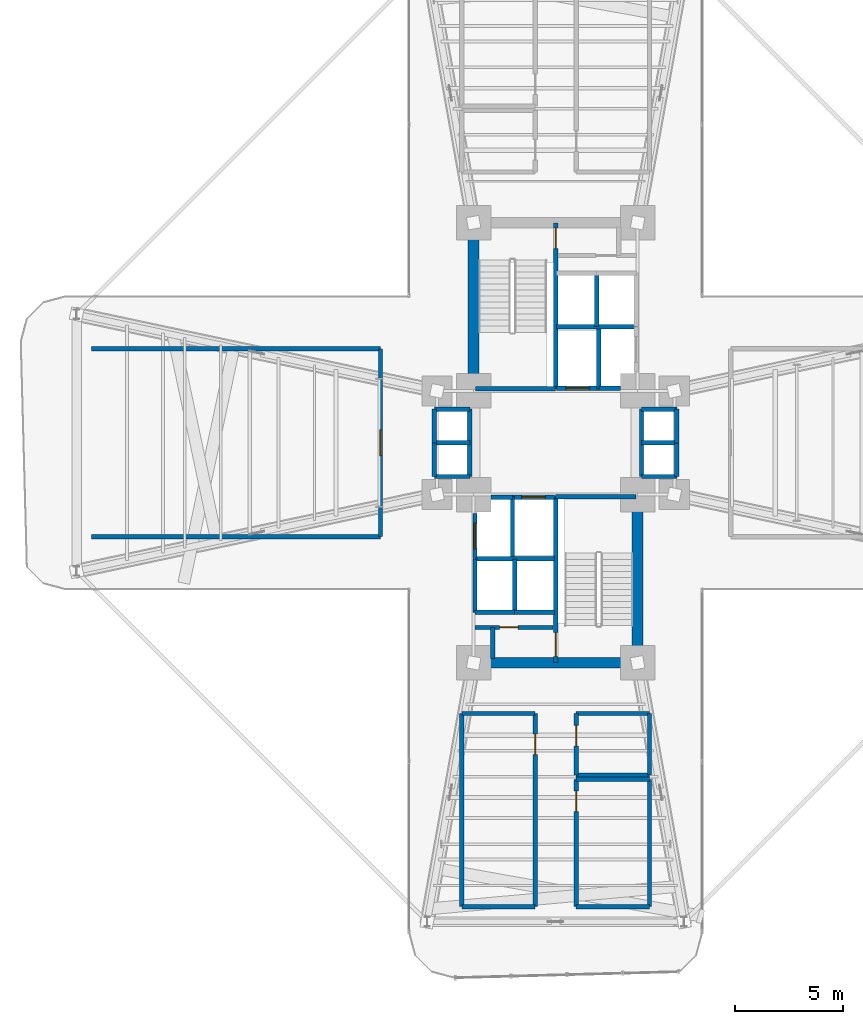
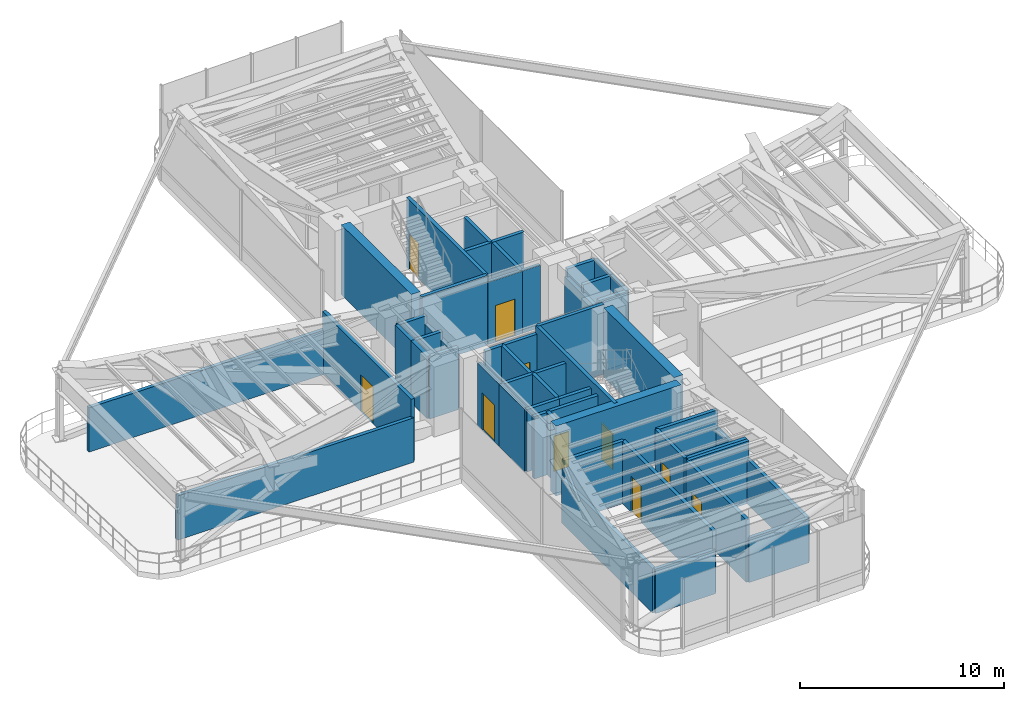
# One storey, part 14 of 18: 50 walls, 10 doors, 10 openings.
"""IFC4 building model written with IfcOpenShell, lengths in metres."""

from ifc_helpers import new_model, si_unit, direction, frame, frame_2d, origin, origin_2d, place, context, subcontext, project, spatial, rectangle, extrude, source, transform, mapped, material, layer, layer_set, type_object, element, fill, save


model = new_model("IFC4")

# Units and contexts
model_context = context("Model", 3, precision=1e-05, world=origin(), true_north=direction((0.0, 1.0)))
body_context = subcontext(model_context, "Body", "Model", "MODEL_VIEW")
ifc_project = project(units=[si_unit("LENGTHUNIT", "METRE"), si_unit("AREAUNIT", "SQUARE_METRE"), si_unit("VOLUMEUNIT", "CUBIC_METRE"), si_unit("PLANEANGLEUNIT", "RADIAN"), si_unit("MASSUNIT", "GRAM", prefix="KILO")], contexts=[model_context])

# Site, building, storey
site_placement = place(None, origin())
site = spatial("IfcSite", under=ifc_project, at=site_placement, CompositionType="ELEMENT")
building_placement = place(site_placement, origin())
building = spatial("IfcBuilding", under=site, at=building_placement, Name="Sahyath Konkavel Grand Hotel", CompositionType="ELEMENT")
storey_placement = place(building_placement, frame((0.0, 0.0, 74.5)))
storey = spatial("IfcBuildingStorey", under=building, at=storey_placement, Name="L20", CompositionType="ELEMENT", Elevation=74.5)

# Walls
ifc_material_1 = material(Name="Concrete C70/85", Category="concrete")
ifc_layer_1 = layer(ifc_material_1, 0.5)
ifc_layer_set_1 = layer_set([ifc_layer_1], Name="Concrete C70/85")
wall_type_1 = type_object("IfcWallType", Name="CWALL-500", PredefinedType="SHEAR", material=ifc_layer_set_1)
wall_1_placement = place(storey_placement, frame((-3.800048828125, 2.85009765625, 0.0), z_axis=(0.0, 0.0, 1.0), x_axis=(0.0, 1.0, 0.0)))
element("IfcWall", 1, at=wall_1_placement, inside=storey, type_object=wall_type_1, Name="L20 North Core Shear Wall W", PredefinedType="SHEAR", context=body_context, shape_type="SweptSolid", body=[
    extrude(rectangle(XDim=6.89990234375, YDim=0.5, at=frame_2d((3.449951171875, 0.0))), origin(), (0.0, 0.0, 1.0), 4.179931640625),
])
wall_2_placement = place(storey_placement, frame((-3.550048828125, -10.199951171875, 0.0), z_axis=(0.0, 0.0, 1.0), x_axis=(1.0, 0.0, 0.0)))
element("IfcWall", 2, at=wall_2_placement, inside=storey, type_object=wall_type_1, Name="L20 South Core Shear Wall S", PredefinedType="SHEAR", context=body_context, shape_type="SweptSolid", body=[
    extrude(rectangle(XDim=7.10009765625, YDim=0.5, at=frame_2d((3.550048828125, 0.0))), origin(), (0.0, 0.0, 1.0), 4.179931640625),
])
wall_3_placement = place(storey_placement, frame((3.800048828125, -9.75, 0.0), z_axis=(0.0, 0.0, 1.0), x_axis=(0.0, 1.0, 0.0)))
element("IfcWall", 3, at=wall_3_placement, inside=storey, type_object=wall_type_1, Name="L20 South Core Shear Wall E", PredefinedType="SHEAR", context=body_context, shape_type="SweptSolid", body=[
    extrude(rectangle(XDim=6.89990234375, YDim=0.5, at=frame_2d((3.449951171875, 0.0))), origin(), (0.0, 0.0, 1.0), 4.179931640625),
])

# Wall, opening, door
ifc_material_2 = material(Name="Concrete C40/50", Category="concrete")
ifc_layer_2 = layer(ifc_material_2, 0.199951171875)
ifc_layer_set_2 = layer_set([ifc_layer_2], Name="Concrete C40/50")
wall_type_2 = type_object("IfcWallType", Name="WLL-CORE-200", PredefinedType="SOLIDWALL", material=ifc_layer_set_2)
wall_4_placement = place(storey_placement, frame((0.0, 2.5, 0.0), z_axis=(0.0, 0.0, 1.0), x_axis=(0.0, 1.0, 0.0)))
wall_4 = element("IfcWall", 4, at=wall_4_placement, inside=storey, type_object=wall_type_2, Name="L20 Stair ST-1 Shaft Wall E", PredefinedType="SOLIDWALL", context=body_context, shape_type="SweptSolid", body=[
    extrude(rectangle(XDim=7.679931640625, YDim=0.199951171875, at=frame_2d((3.83984375, 0.0))), origin(), (0.0, 0.0, 1.0), 4.179931640625),
])
opening_1_placement = place(wall_4_placement, frame((6.5, 0.0, 0.0)))
opening_1 = element("IfcOpeningElement", 5, at=opening_1_placement, cuts=wall_4, Name="Opening D-F12C", PredefinedType="OPENING", context=body_context, shape_type="SweptSolid", body=[
    extrude(rectangle(XDim=0.949951171875, YDim=2.14990234375, at=frame_2d((0.47509765625, 1.074951171875))), frame((0.0, 0.10986328125, 0.0), z_axis=(0.0, -1.0, 0.0), x_axis=(1.0, 0.0, 0.0)), (0.0, 0.0, 1.0), 0.219970703125),
])
ifc_material_3 = material(Name="Steel E350 Plant Fire Door", Category="steel")
door_type_1 = type_object("IfcDoorType", Name="DR-FD120-950", OperationType="NOTDEFINED", PredefinedType="DOOR", material=ifc_material_3)
shared_shape_1 = source(origin(), body_context, "Body", "SweptSolid", [
    extrude(rectangle(XDim=0.949951171875, YDim=0.050048828125, at=origin_2d()), origin(), (0.0, 0.0, 1.0), 2.14990234375),
])
door_1_placement = place(opening_1_placement, frame((0.47509765625, 0.0, 0.0)))
door_1 = element("IfcDoor", 6, at=door_1_placement, inside=storey, type_object=door_type_1, Name="L20 Stair ST-1 Fire Door", OperationType="SINGLE_SWING_RIGHT", OverallHeight=2.14990234375, OverallWidth=0.949951171875, PredefinedType="DOOR", context=body_context, shape_type="MappedRepresentation", body=[
    mapped(shared_shape_1, transform((0.0, 0.0, 0.0), scale=1.0)),
])
fill(opening_1, door_1)

# Wall
wall_5_placement = place(storey_placement, frame((-3.719970703125, 2.5, 0.0), z_axis=(0.0, 0.0, 1.0), x_axis=(1.0, 0.0, 0.0)))
element("IfcWall", 7, at=wall_5_placement, inside=storey, type_object=wall_type_2, Name="L20 Stair ST-1 Shaft Wall S", PredefinedType="SOLIDWALL", context=body_context, shape_type="SweptSolid", body=[
    extrude(rectangle(XDim=3.719970703125, YDim=0.199951171875, at=frame_2d((1.85986328125, 0.0))), origin(), (0.0, 0.0, 1.0), 4.179931640625),
])

# Wall, opening, door
wall_6_placement = place(storey_placement, frame((0.0, -10.179931640625, 0.0), z_axis=(0.0, 0.0, 1.0), x_axis=(0.0, 1.0, 0.0)))
wall_6 = element("IfcWall", 8, at=wall_6_placement, inside=storey, type_object=wall_type_2, Name="L20 Stair ST-2 Shaft Wall W", PredefinedType="SOLIDWALL", context=body_context, shape_type="SweptSolid", body=[
    extrude(rectangle(XDim=7.679931640625, YDim=0.199951171875, at=frame_2d((3.83984375, 0.0))), origin(), (0.0, 0.0, 1.0), 4.179931640625),
])
opening_2_placement = place(wall_6_placement, frame((0.280029296875, 0.0, 0.0)))
opening_2 = element("IfcOpeningElement", 9, at=opening_2_placement, cuts=wall_6, Name="Opening D-F12B", PredefinedType="OPENING", context=body_context, shape_type="SweptSolid", body=[
    extrude(rectangle(XDim=1.10009765625, YDim=2.14990234375, at=frame_2d((0.550048828125, 1.074951171875))), frame((0.0, 0.10986328125, 0.0), z_axis=(0.0, -1.0, 0.0), x_axis=(1.0, 0.0, 0.0)), (0.0, 0.0, 1.0), 0.219970703125),
])
ifc_material_4 = material(Name="Steel E350 Smokeproof Fire Door", Category="steel")
door_type_2 = type_object("IfcDoorType", Name="DR-FD120-1100", OperationType="NOTDEFINED", PredefinedType="DOOR", material=ifc_material_4)
shared_shape_2 = source(origin(), body_context, "Body", "SweptSolid", [
    extrude(rectangle(XDim=1.10009765625, YDim=0.050048828125, at=origin_2d()), origin(), (0.0, 0.0, 1.0), 2.14990234375),
])
door_2_placement = place(opening_2_placement, frame((0.550048828125, 0.0, 0.0)))
door_2 = element("IfcDoor", 10, at=door_2_placement, inside=storey, type_object=door_type_2, Name="L20 Stair ST-2 Fire Door", OperationType="SINGLE_SWING_RIGHT", OverallHeight=2.14990234375, OverallWidth=1.10009765625, PredefinedType="DOOR", context=body_context, shape_type="MappedRepresentation", body=[
    mapped(shared_shape_2, transform((0.0, 0.0, 0.0), scale=1.0)),
])
fill(opening_2, door_2)

# Walls
wall_7_placement = place(storey_placement, frame((0.0, -2.5, 0.0), z_axis=(0.0, 0.0, 1.0), x_axis=(1.0, 0.0, 0.0)))
element("IfcWall", 11, at=wall_7_placement, inside=storey, type_object=wall_type_2, Name="L20 Stair ST-2 Shaft Wall N", PredefinedType="SOLIDWALL", context=body_context, shape_type="SweptSolid", body=[
    extrude(rectangle(XDim=3.719970703125, YDim=0.199951171875, at=frame_2d((1.85986328125, 0.0))), origin(), (0.0, 0.0, 1.0), 4.179931640625),
])
wall_8_placement = place(storey_placement, frame((2.0, 2.5, 0.0), z_axis=(0.0, 0.0, 1.0), x_axis=(0.0, 1.0, 0.0)))
element("IfcWall", 12, at=wall_8_placement, inside=storey, type_object=wall_type_2, Name="L20 Partition SH-FFL1-E", PredefinedType="SOLIDWALL", context=body_context, shape_type="SweptSolid", body=[
    extrude(rectangle(XDim=2.780029296875, YDim=0.199951171875, at=frame_2d((1.39013671875, 0.0))), origin(), (0.0, 0.0, 1.0), 3.72998046875),
])

# Wall, opening, door
wall_9_placement = place(storey_placement, frame((0.050048828125, 2.52001953125, 0.0), z_axis=(0.0, 0.0, 1.0), x_axis=(1.0, 0.0, 0.0)))
wall_9 = element("IfcWall", 13, at=wall_9_placement, inside=storey, type_object=wall_type_2, Name="L20 Partition SH-FFL1-S", PredefinedType="SOLIDWALL", context=body_context, shape_type="SweptSolid", body=[
    extrude(rectangle(XDim=1.949951171875, YDim=0.199951171875, at=frame_2d((0.97509765625, 0.0))), origin(), (0.0, 0.0, 1.0), 3.72998046875),
])
opening_3_placement = place(wall_9_placement, frame((0.419921875, 0.0, 0.0)))
opening_3 = element("IfcOpeningElement", 14, at=opening_3_placement, cuts=wall_9, Name="Opening LD-11", PredefinedType="OPENING", context=body_context, shape_type="SweptSolid", body=[
    extrude(rectangle(XDim=1.10009765625, YDim=2.199951171875, at=frame_2d((0.550048828125, 1.10009765625))), frame((0.0, 0.10986328125, 0.0), z_axis=(0.0, -1.0, 0.0), x_axis=(1.0, 0.0, 0.0)), (0.0, 0.0, 1.0), 0.219970703125),
])
ifc_material_5 = material(Name="Bronze Lift Landing Door 1100")
door_type_3 = type_object("IfcDoorType", Name="DR-LIFT-1100", OperationType="DOUBLE_DOOR_SLIDING", PredefinedType="DOOR", material=ifc_material_5)
shared_shape_3 = source(origin(), body_context, "Body", "SweptSolid", [
    extrude(rectangle(XDim=1.10009765625, YDim=0.050048828125, at=origin_2d()), origin(), (0.0, 0.0, 1.0), 2.199951171875),
])
door_3_placement = place(opening_3_placement, frame((0.550048828125, 0.0, 0.0)))
door_3 = element("IfcDoor", 15, at=door_3_placement, inside=storey, type_object=door_type_3, Name="L20 Lift FFL-1 Landing Door", OperationType="DOUBLE_DOOR_SLIDING", OverallHeight=2.199951171875, OverallWidth=1.10009765625, PredefinedType="DOOR", context=body_context, shape_type="MappedRepresentation", body=[
    mapped(shared_shape_3, transform((0.0, 0.0, 0.0), scale=1.0)),
])
fill(opening_3, door_3)

# Wall
wall_10_placement = place(storey_placement, frame((-2.0, -5.280029296875, 0.0), z_axis=(0.0, 0.0, 1.0), x_axis=(0.0, 1.0, 0.0)))
element("IfcWall", 16, at=wall_10_placement, inside=storey, type_object=wall_type_2, Name="L20 Partition SH-FFL2-W", PredefinedType="SOLIDWALL", context=body_context, shape_type="SweptSolid", body=[
    extrude(rectangle(XDim=2.780029296875, YDim=0.199951171875, at=frame_2d((1.39013671875, 0.0))), origin(), (0.0, 0.0, 1.0), 3.72998046875),
])

# Wall, opening, door
wall_11_placement = place(storey_placement, frame((-2.0, -2.52001953125, 0.0), z_axis=(0.0, 0.0, 1.0), x_axis=(1.0, 0.0, 0.0)))
wall_11 = element("IfcWall", 17, at=wall_11_placement, inside=storey, type_object=wall_type_2, Name="L20 Partition SH-FFL2-N", PredefinedType="SOLIDWALL", context=body_context, shape_type="SweptSolid", body=[
    extrude(rectangle(XDim=1.949951171875, YDim=0.199951171875, at=frame_2d((0.97509765625, 0.0))), origin(), (0.0, 0.0, 1.0), 3.72998046875),
])
opening_4_placement = place(wall_11_placement, frame((0.419921875, 0.0, 0.0)))
opening_4 = element("IfcOpeningElement", 18, at=opening_4_placement, cuts=wall_11, Name="Opening LD-11", PredefinedType="OPENING", context=body_context, shape_type="SweptSolid", body=[
    extrude(rectangle(XDim=1.10009765625, YDim=2.199951171875, at=frame_2d((0.550048828125, 1.10009765625))), frame((0.0, 0.10986328125, 0.0), z_axis=(0.0, -1.0, 0.0), x_axis=(1.0, 0.0, 0.0)), (0.0, 0.0, 1.0), 0.219970703125),
])
door_4_placement = place(opening_4_placement, frame((0.550048828125, 0.0, 0.0)))
door_4 = element("IfcDoor", 19, at=door_4_placement, inside=storey, type_object=door_type_3, Name="L20 Lift FFL-2 Landing Door", OperationType="DOUBLE_DOOR_SLIDING", OverallHeight=2.199951171875, OverallWidth=1.10009765625, PredefinedType="DOOR", context=body_context, shape_type="MappedRepresentation", body=[
    mapped(shared_shape_3, transform((0.0, 0.0, 0.0), scale=1.0)),
])
fill(opening_4, door_4)

# Walls
for number, where, z_axis, x_axis, name in (
    (20, (2.0, 2.52001953125, 0.0), (0.0, 0.0, 1.0), (1.0, 0.0, 0.0), "L20 Partition SH-SVL1-S"),
    (21, (-3.0, -2.52001953125, 0.0), (0.0, 0.0, 1.0), (1.0, 0.0, 0.0), "L20 Partition SH-SVL2-N"),
):
    element("IfcWall", number, at=place(storey_placement, frame(where, z_axis=z_axis, x_axis=x_axis)), inside=storey, type_object=wall_type_2, Name=name, PredefinedType="SOLIDWALL", context=body_context, shape_type="SweptSolid", body=[
        extrude(rectangle(XDim=1.0, YDim=0.199951171875, at=frame_2d((0.5, 0.0))), origin(), (0.0, 0.0, 1.0), 3.72998046875),
    ])

# Wall, opening, door
wall_12_placement = place(storey_placement, frame((-3.739990234375, -5.360107421875, 0.0), z_axis=(0.0, 0.0, 1.0), x_axis=(0.0, 1.0, 0.0)))
wall_12 = element("IfcWall", 22, at=wall_12_placement, inside=storey, type_object=wall_type_2, Name="L20 Partition SH-SVL2-W", PredefinedType="SOLIDWALL", context=body_context, shape_type="SweptSolid", body=[
    extrude(rectangle(XDim=2.080078125, YDim=0.199951171875, at=frame_2d((1.0400390625, 0.0))), origin(), (0.0, 0.0, 1.0), 3.72998046875),
])
opening_5_placement = place(wall_12_placement, frame((0.43994140625, 0.0, 0.0)))
opening_5 = element("IfcOpeningElement", 23, at=opening_5_placement, cuts=wall_12, Name="Opening LD-12", PredefinedType="OPENING", context=body_context, shape_type="SweptSolid", body=[
    extrude(rectangle(XDim=1.199951171875, YDim=2.199951171875, at=frame_2d((0.60009765625, 1.10009765625))), frame((0.0, 0.10986328125, 0.0), z_axis=(0.0, -1.0, 0.0), x_axis=(1.0, 0.0, 0.0)), (0.0, 0.0, 1.0), 0.219970703125),
])
ifc_material_6 = material(Name="Stainless Steel Lift Landing Door 1200", Category="steel")
door_type_4 = type_object("IfcDoorType", Name="DR-LIFT-1200", OperationType="DOUBLE_DOOR_SLIDING", PredefinedType="DOOR", material=ifc_material_6)
shared_shape_4 = source(origin(), body_context, "Body", "SweptSolid", [
    extrude(rectangle(XDim=1.199951171875, YDim=0.050048828125, at=origin_2d()), origin(), (0.0, 0.0, 1.0), 2.199951171875),
])
door_5_placement = place(opening_5_placement, frame((0.60009765625, 0.0, 0.0)))
door_5 = element("IfcDoor", 24, at=door_5_placement, inside=storey, type_object=door_type_4, Name="L20 Service Lift SVL-2 Landing Door", OperationType="DOUBLE_DOOR_SLIDING", OverallHeight=2.199951171875, OverallWidth=1.199951171875, PredefinedType="DOOR", context=body_context, shape_type="MappedRepresentation", body=[
    mapped(shared_shape_4, transform((0.0, 0.0, 0.0), scale=1.0)),
])
fill(opening_5, door_5)

# Walls
wall_13_placement = place(storey_placement, frame((0.050048828125, 5.3798828125, 0.0), z_axis=(0.0, 0.0, 1.0), x_axis=(1.0, 0.0, 0.0)))
element("IfcWall", 25, at=wall_13_placement, inside=storey, type_object=wall_type_2, Name="L20 Partition SH-PL12-S", PredefinedType="SOLIDWALL", context=body_context, shape_type="SweptSolid", body=[
    extrude(rectangle(XDim=3.68994140625, YDim=0.199951171875, at=frame_2d((1.844970703125, 0.0))), origin(), (0.0, 0.0, 1.0), 3.72998046875),
])
for number, where, z_axis, x_axis, name in (
    (26, (1.89990234375, 5.3798828125, 0.0), (0.0, 0.0, 1.0), (0.0, 1.0, 0.0), "L20 Partition SH-PL12-M"),
    (27, (-3.739990234375, -7.860107421875, 0.0), (0.0, 0.0, 1.0), (0.0, 1.0, 0.0), "L20 Partition SH-PL3-W"),
):
    element("IfcWall", number, at=place(storey_placement, frame(where, z_axis=z_axis, x_axis=x_axis)), inside=storey, type_object=wall_type_2, Name=name, PredefinedType="SOLIDWALL", context=body_context, shape_type="SweptSolid", body=[
        extrude(rectangle(XDim=2.480224609375, YDim=0.199951171875, at=frame_2d((1.240234375, 0.0))), origin(), (0.0, 0.0, 1.0), 3.72998046875),
    ])
wall_14_placement = place(storey_placement, frame((-3.739990234375, -7.860107421875, 0.0), z_axis=(0.0, 0.0, 1.0), x_axis=(1.0, 0.0, 0.0)))
element("IfcWall", 28, at=wall_14_placement, inside=storey, type_object=wall_type_2, Name="L20 Partition SH-PL3-S", PredefinedType="SOLIDWALL", context=body_context, shape_type="SweptSolid", body=[
    extrude(rectangle(XDim=1.840087890625, YDim=0.199951171875, at=frame_2d((0.919921875, 0.0))), origin(), (0.0, 0.0, 1.0), 3.72998046875),
])
wall_15_placement = place(storey_placement, frame((-3.739990234375, -5.3798828125, 0.0), z_axis=(0.0, 0.0, 1.0), x_axis=(1.0, 0.0, 0.0)))
element("IfcWall", 29, at=wall_15_placement, inside=storey, type_object=wall_type_2, Name="L20 Partition SH-PL34-N", PredefinedType="SOLIDWALL", context=body_context, shape_type="SweptSolid", body=[
    extrude(rectangle(XDim=3.68994140625, YDim=0.199951171875, at=frame_2d((1.844970703125, 0.0))), origin(), (0.0, 0.0, 1.0), 3.72998046875),
])
wall_16_placement = place(storey_placement, frame((-1.89990234375, -7.860107421875, 0.0), z_axis=(0.0, 0.0, 1.0), x_axis=(0.0, 1.0, 0.0)))
element("IfcWall", 30, at=wall_16_placement, inside=storey, type_object=wall_type_2, Name="L20 Partition SH-PL34-M", PredefinedType="SOLIDWALL", context=body_context, shape_type="SweptSolid", body=[
    extrude(rectangle(XDim=2.480224609375, YDim=0.199951171875, at=frame_2d((1.240234375, 0.0))), origin(), (0.0, 0.0, 1.0), 3.72998046875),
])
wall_17_placement = place(storey_placement, frame((-1.89990234375, -7.860107421875, 0.0), z_axis=(0.0, 0.0, 1.0), x_axis=(1.0, 0.0, 0.0)))
element("IfcWall", 31, at=wall_17_placement, inside=storey, type_object=wall_type_2, Name="L20 Partition SH-PL4-S", PredefinedType="SOLIDWALL", context=body_context, shape_type="SweptSolid", body=[
    extrude(rectangle(XDim=1.849853515625, YDim=0.199951171875, at=frame_2d((0.9248046875, 0.0))), origin(), (0.0, 0.0, 1.0), 3.72998046875),
])
wall_18_placement = place(storey_placement, frame((3.97998046875, -1.56005859375, 0.0), z_axis=(0.0, 0.0, 1.0), x_axis=(0.0, 1.0, 0.0)))
element("IfcWall", 32, at=wall_18_placement, inside=storey, type_object=wall_type_2, Name="L20 Partition SH-PL56-W", PredefinedType="SOLIDWALL", context=body_context, shape_type="SweptSolid", body=[
    extrude(rectangle(XDim=3.1201171875, YDim=0.199951171875, at=frame_2d((1.56005859375, 0.0))), origin(), (0.0, 0.0, 1.0), 3.25),
])
for number, where, z_axis, x_axis, name in (
    (33, (3.97998046875, 1.56005859375, 0.0), (0.0, 0.0, 1.0), (1.0, 0.0, 0.0), "L20 Partition SH-PL56-N"),
    (34, (3.97998046875, -1.56005859375, 0.0), (0.0, 0.0, 1.0), (1.0, 0.0, 0.0), "L20 Partition SH-PL56-S"),
    (35, (3.97998046875, 0.0, 0.0), (0.0, 0.0, 1.0), (1.0, 0.0, 0.0), "L20 Partition SH-PL56-M"),
):
    element("IfcWall", number, at=place(storey_placement, frame(where, z_axis=z_axis, x_axis=x_axis)), inside=storey, type_object=wall_type_2, Name=name, PredefinedType="SOLIDWALL", context=body_context, shape_type="SweptSolid", body=[
        extrude(rectangle(XDim=1.64013671875, YDim=0.199951171875, at=frame_2d((0.820068359375, 0.0))), origin(), (0.0, 0.0, 1.0), 3.72998046875),
    ])
for number, where, z_axis, x_axis, name in (
    (36, (5.6201171875, 0.0, 0.0), (0.0, 0.0, 1.0), (0.0, 1.0, 0.0), "L20 Partition SH-PL5-E"),
    (37, (5.6201171875, -1.56005859375, 0.0), (0.0, 0.0, 1.0), (0.0, 1.0, 0.0), "L20 Partition SH-PL6-E"),
):
    element("IfcWall", number, at=place(storey_placement, frame(where, z_axis=z_axis, x_axis=x_axis)), inside=storey, type_object=wall_type_2, Name=name, PredefinedType="SOLIDWALL", context=body_context, shape_type="SweptSolid", body=[
        extrude(rectangle(XDim=1.56005859375, YDim=0.199951171875, at=frame_2d((0.780029296875, 0.0))), origin(), (0.0, 0.0, 1.0), 3.72998046875),
    ])
wall_19_placement = place(storey_placement, frame((-3.97998046875, -1.56005859375, 0.0), z_axis=(0.0, 0.0, 1.0), x_axis=(0.0, 1.0, 0.0)))
element("IfcWall", 38, at=wall_19_placement, inside=storey, type_object=wall_type_2, Name="L20 Partition SH-SL12-E", PredefinedType="SOLIDWALL", context=body_context, shape_type="SweptSolid", body=[
    extrude(rectangle(XDim=3.1201171875, YDim=0.199951171875, at=frame_2d((1.56005859375, 0.0))), origin(), (0.0, 0.0, 1.0), 3.25),
])
for number, where, z_axis, x_axis, name in (
    (39, (-5.6201171875, 1.56005859375, 0.0), (0.0, 0.0, 1.0), (1.0, 0.0, 0.0), "L20 Partition SH-SL12-N"),
    (40, (-5.6201171875, -1.56005859375, 0.0), (0.0, 0.0, 1.0), (1.0, 0.0, 0.0), "L20 Partition SH-SL12-S"),
    (41, (-5.6201171875, 0.0, 0.0), (0.0, 0.0, 1.0), (1.0, 0.0, 0.0), "L20 Partition SH-SL12-M"),
):
    element("IfcWall", number, at=place(storey_placement, frame(where, z_axis=z_axis, x_axis=x_axis)), inside=storey, type_object=wall_type_2, Name=name, PredefinedType="SOLIDWALL", context=body_context, shape_type="SweptSolid", body=[
        extrude(rectangle(XDim=1.64013671875, YDim=0.199951171875, at=frame_2d((0.820068359375, 0.0))), origin(), (0.0, 0.0, 1.0), 3.72998046875),
    ])
for number, where, z_axis, x_axis, name in (
    (42, (-5.6201171875, 0.0, 0.0), (0.0, 0.0, 1.0), (0.0, 1.0, 0.0), "L20 Partition SH-SL1-W"),
    (43, (-5.6201171875, -1.56005859375, 0.0), (0.0, 0.0, 1.0), (0.0, 1.0, 0.0), "L20 Partition SH-SL2-W"),
):
    element("IfcWall", number, at=place(storey_placement, frame(where, z_axis=z_axis, x_axis=x_axis)), inside=storey, type_object=wall_type_2, Name=name, PredefinedType="SOLIDWALL", context=body_context, shape_type="SweptSolid", body=[
        extrude(rectangle(XDim=1.56005859375, YDim=0.199951171875, at=frame_2d((0.780029296875, 0.0))), origin(), (0.0, 0.0, 1.0), 3.72998046875),
    ])

# Wall, opening, door
wall_20_placement = place(storey_placement, frame((-3.739990234375, -8.56005859375, 0.0), z_axis=(0.0, 0.0, 1.0), x_axis=(1.0, 0.0, 0.0)))
wall_20 = element("IfcWall", 44, at=wall_20_placement, inside=storey, type_object=wall_type_2, Name="L20 South FF Lobby Separation Wall", PredefinedType="SOLIDWALL", context=body_context, shape_type="SweptSolid", body=[
    extrude(rectangle(XDim=3.619873046875, YDim=0.199951171875, at=frame_2d((1.81005859375, 0.0))), origin(), (0.0, 0.0, 1.0), 3.72998046875),
])
opening_6_placement = place(wall_20_placement, frame((1.14990234375, 0.0, 0.0)))
opening_6 = element("IfcOpeningElement", 45, at=opening_6_placement, cuts=wall_20, Name="Opening D-F12D", PredefinedType="OPENING", context=body_context, shape_type="SweptSolid", body=[
    extrude(rectangle(XDim=0.85009765625, YDim=2.10009765625, at=frame_2d((0.425048828125, 1.050048828125))), frame((0.0, 0.10986328125, 0.0), z_axis=(0.0, -1.0, 0.0), x_axis=(1.0, 0.0, 0.0)), (0.0, 0.0, 1.0), 0.219970703125),
])
ifc_material_7 = material(Name="Steel E350 Core Fire Door", Category="steel")
door_type_5 = type_object("IfcDoorType", Name="DR-FD120-850", OperationType="NOTDEFINED", PredefinedType="DOOR", material=ifc_material_7)
shared_shape_5 = source(origin(), body_context, "Body", "SweptSolid", [
    extrude(rectangle(XDim=0.85009765625, YDim=0.050048828125, at=origin_2d()), origin(), (0.0, 0.0, 1.0), 2.10009765625),
])
door_6_placement = place(opening_6_placement, frame((0.425048828125, 0.0, 0.0)))
door_6 = element("IfcDoor", 46, at=door_6_placement, inside=storey, type_object=door_type_5, Name="L20 South Firefighting Lobby Door", OperationType="SINGLE_SWING_LEFT", OverallHeight=2.10009765625, OverallWidth=0.85009765625, PredefinedType="DOOR", context=body_context, shape_type="MappedRepresentation", body=[
    mapped(shared_shape_5, transform((0.0, 0.0, 0.0), scale=1.0)),
])
fill(opening_6, door_6)

# Wall
wall_21_placement = place(storey_placement, frame((-2.919921875, -10.0, 0.0), z_axis=(0.0, 0.0, 1.0), x_axis=(0.0, 1.0, 0.0)))
element("IfcWall", 47, at=wall_21_placement, inside=storey, type_object=wall_type_2, Name="L20 Partition SFF-W2", PredefinedType="SOLIDWALL", context=body_context, shape_type="SweptSolid", body=[
    extrude(rectangle(XDim=1.43994140625, YDim=0.199951171875, at=frame_2d((0.719970703125, 0.0))), origin(), (0.0, 0.0, 1.0), 3.72998046875),
])

# Wall, opening, door
wall_22_placement = place(storey_placement, frame((-8.1201171875, 4.35009765625, 0.0), z_axis=(0.0, 0.0, 1.0), x_axis=(0.0, -1.0, 0.0)))
wall_22 = element("IfcWall", 48, at=wall_22_placement, inside=storey, type_object=wall_type_2, Name="L20 Partition REF-W-IN", PredefinedType="SOLIDWALL", context=body_context, shape_type="SweptSolid", body=[
    extrude(rectangle(XDim=8.7001953125, YDim=0.199951171875, at=frame_2d((4.35009765625, 0.0))), origin(), (0.0, 0.0, 1.0), 3.72998046875),
])
opening_7_placement = place(wall_22_placement, frame((3.75, 0.0, 0.0)))
opening_7 = element("IfcOpeningElement", 49, at=opening_7_placement, cuts=wall_22, Name="Opening D-F12A", PredefinedType="OPENING", context=body_context, shape_type="SweptSolid", body=[
    extrude(rectangle(XDim=1.199951171875, YDim=2.199951171875, at=frame_2d((0.60009765625, 1.10009765625))), frame((0.0, 0.10986328125, 0.0), z_axis=(0.0, -1.0, 0.0), x_axis=(1.0, 0.0, 0.0)), (0.0, 0.0, 1.0), 0.219970703125),
])
ifc_material_8 = material(Name="Steel E350 Fire Door", Category="steel")
door_type_6 = type_object("IfcDoorType", Name="DR-FD120-1200", OperationType="NOTDEFINED", PredefinedType="DOOR", material=ifc_material_8)
door_7_placement = place(opening_7_placement, frame((0.60009765625, 0.0, 0.0)))
door_7 = element("IfcDoor", 50, at=door_7_placement, inside=storey, type_object=door_type_6, Name="L20 Door REF-W-D", OperationType="SINGLE_SWING_LEFT", OverallHeight=2.199951171875, OverallWidth=1.199951171875, PredefinedType="DOOR", context=body_context, shape_type="MappedRepresentation", body=[
    mapped(shared_shape_4, transform((0.0, 0.0, 0.0), scale=1.0)),
])
fill(opening_7, door_7)

# Walls
for number, where, z_axis, x_axis, name in (
    (51, (-8.1201171875, -4.35009765625, 0.0), (0.0, 0.0, 1.0), (-1.0, 0.0, 0.0), "L20 Partition REF-W-N"),
    (52, (-8.1201171875, 4.35009765625, 0.0), (0.0, 0.0, 1.0), (-1.0, 0.0, 0.0), "L20 Partition REF-W-S"),
):
    element("IfcWall", number, at=place(storey_placement, frame(where, z_axis=z_axis, x_axis=x_axis)), inside=storey, type_object=wall_type_2, Name=name, PredefinedType="SOLIDWALL", context=body_context, shape_type="SweptSolid", body=[
        extrude(rectangle(XDim=13.3798828125, YDim=0.199951171875, at=frame_2d((6.68994140625, 0.0))), origin(), (0.0, 0.0, 1.0), 2.64990234375),
    ])

# Wall, opening, door
wall_23_placement = place(storey_placement, frame((0.949951171875, -12.550048828125, 0.0), z_axis=(0.0, 0.0, 1.0), x_axis=(0.0, -1.0, 0.0)))
wall_23 = element("IfcWall", 53, at=wall_23_placement, inside=storey, type_object=wall_type_2, Name="L20 Partition PL-CHL-C", PredefinedType="SOLIDWALL", context=body_context, shape_type="SweptSolid", body=[
    extrude(rectangle(XDim=2.849853515625, YDim=0.199951171875, at=frame_2d((1.4248046875, 0.0))), origin(), (0.0, 0.0, 1.0), 3.72998046875),
])
opening_8_placement = place(wall_23_placement, frame((0.550048828125, 0.0, 0.0)))
opening_8 = element("IfcOpeningElement", 54, at=opening_8_placement, cuts=wall_23, Name="Opening D-F12C", PredefinedType="OPENING", context=body_context, shape_type="SweptSolid", body=[
    extrude(rectangle(XDim=0.949951171875, YDim=2.14990234375, at=frame_2d((0.47509765625, 1.074951171875))), frame((0.0, 0.10986328125, 0.0), z_axis=(0.0, -1.0, 0.0), x_axis=(1.0, 0.0, 0.0)), (0.0, 0.0, 1.0), 0.219970703125),
])
door_8_placement = place(opening_8_placement, frame((0.47509765625, 0.0, 0.0)))
door_8 = element("IfcDoor", 55, at=door_8_placement, inside=storey, type_object=door_type_1, Name="L20 Door PL-CHL-D", OperationType="SINGLE_SWING_RIGHT", OverallHeight=2.14990234375, OverallWidth=0.949951171875, PredefinedType="DOOR", context=body_context, shape_type="MappedRepresentation", body=[
    mapped(shared_shape_1, transform((0.0, 0.0, 0.0), scale=1.0)),
])
fill(opening_8, door_8)

# Walls
wall_24_placement = place(storey_placement, frame((4.35009765625, -12.550048828125, 0.0), z_axis=(0.0, 0.0, 1.0), x_axis=(0.0, -1.0, 0.0)))
element("IfcWall", 56, at=wall_24_placement, inside=storey, type_object=wall_type_2, Name="L20 Partition PL-CHL-O", PredefinedType="SOLIDWALL", context=body_context, shape_type="SweptSolid", body=[
    extrude(rectangle(XDim=2.849853515625, YDim=0.199951171875, at=frame_2d((1.4248046875, 0.0))), origin(), (0.0, 0.0, 1.0), 2.64990234375),
])
for number, where, z_axis, x_axis, name in (
    (57, (0.949951171875, -12.550048828125, 0.0), (0.0, 0.0, 1.0), (1.0, 0.0, 0.0), "L20 Partition PL-CHL-A"),
    (58, (0.949951171875, -15.39990234375, 0.0), (0.0, 0.0, 1.0), (1.0, 0.0, 0.0), "L20 Partition PL-CHL-B"),
):
    element("IfcWall", number, at=place(storey_placement, frame(where, z_axis=z_axis, x_axis=x_axis)), inside=storey, type_object=wall_type_2, Name=name, PredefinedType="SOLIDWALL", context=body_context, shape_type="SweptSolid", body=[
        extrude(rectangle(XDim=3.400146484375, YDim=0.199951171875, at=frame_2d((1.7001953125, 0.0))), origin(), (0.0, 0.0, 1.0), 3.72998046875),
    ])

# Wall, opening, door
wall_25_placement = place(storey_placement, frame((0.949951171875, -15.60009765625, 0.0), z_axis=(0.0, 0.0, 1.0), x_axis=(0.0, -1.0, 0.0)))
wall_25 = element("IfcWall", 59, at=wall_25_placement, inside=storey, type_object=wall_type_2, Name="L20 Partition PL-ELC-C", PredefinedType="SOLIDWALL", context=body_context, shape_type="SweptSolid", body=[
    extrude(rectangle(XDim=5.89990234375, YDim=0.199951171875, at=frame_2d((2.949951171875, 0.0))), origin(), (0.0, 0.0, 1.0), 3.72998046875),
])
opening_9_placement = place(wall_25_placement, frame((0.550048828125, 0.0, 0.0)))
opening_9 = element("IfcOpeningElement", 60, at=opening_9_placement, cuts=wall_25, Name="Opening D-F12C", PredefinedType="OPENING", context=body_context, shape_type="SweptSolid", body=[
    extrude(rectangle(XDim=0.949951171875, YDim=2.14990234375, at=frame_2d((0.47509765625, 1.074951171875))), frame((0.0, 0.10986328125, 0.0), z_axis=(0.0, -1.0, 0.0), x_axis=(1.0, 0.0, 0.0)), (0.0, 0.0, 1.0), 0.219970703125),
])
door_9_placement = place(opening_9_placement, frame((0.47509765625, 0.0, 0.0)))
door_9 = element("IfcDoor", 61, at=door_9_placement, inside=storey, type_object=door_type_1, Name="L20 Door PL-ELC-D", OperationType="SINGLE_SWING_LEFT", OverallHeight=2.14990234375, OverallWidth=0.949951171875, PredefinedType="DOOR", context=body_context, shape_type="MappedRepresentation", body=[
    mapped(shared_shape_1, transform((0.0, 0.0, 0.0), scale=1.0)),
])
fill(opening_9, door_9)

# Walls
wall_26_placement = place(storey_placement, frame((4.35009765625, -15.60009765625, 0.0), z_axis=(0.0, 0.0, 1.0), x_axis=(0.0, -1.0, 0.0)))
element("IfcWall", 62, at=wall_26_placement, inside=storey, type_object=wall_type_2, Name="L20 Partition PL-ELC-O", PredefinedType="SOLIDWALL", context=body_context, shape_type="SweptSolid", body=[
    extrude(rectangle(XDim=5.89990234375, YDim=0.199951171875, at=frame_2d((2.949951171875, 0.0))), origin(), (0.0, 0.0, 1.0), 2.64990234375),
])
wall_27_placement = place(storey_placement, frame((0.949951171875, -15.60009765625, 0.0), z_axis=(0.0, 0.0, 1.0), x_axis=(1.0, 0.0, 0.0)))
element("IfcWall", 63, at=wall_27_placement, inside=storey, type_object=wall_type_2, Name="L20 Partition PL-ELC-A", PredefinedType="SOLIDWALL", context=body_context, shape_type="SweptSolid", body=[
    extrude(rectangle(XDim=3.400146484375, YDim=0.199951171875, at=frame_2d((1.7001953125, 0.0))), origin(), (0.0, 0.0, 1.0), 3.72998046875),
])
wall_28_placement = place(storey_placement, frame((0.949951171875, -21.5, 0.0), z_axis=(0.0, 0.0, 1.0), x_axis=(1.0, 0.0, 0.0)))
element("IfcWall", 64, at=wall_28_placement, inside=storey, type_object=wall_type_2, Name="L20 Partition PL-ELC-B", PredefinedType="SOLIDWALL", context=body_context, shape_type="SweptSolid", body=[
    extrude(rectangle(XDim=3.400146484375, YDim=0.199951171875, at=frame_2d((1.7001953125, 0.0))), origin(), (0.0, 0.0, 1.0), 2.64990234375),
])

# Wall, opening, door
wall_29_placement = place(storey_placement, frame((-0.949951171875, -12.550048828125, 0.0), z_axis=(0.0, 0.0, 1.0), x_axis=(0.0, -1.0, 0.0)))
wall_29 = element("IfcWall", 65, at=wall_29_placement, inside=storey, type_object=wall_type_2, Name="L20 Partition PL-BMS-C", PredefinedType="SOLIDWALL", context=body_context, shape_type="SweptSolid", body=[
    extrude(rectangle(XDim=8.949951171875, YDim=0.199951171875, at=frame_2d((4.47509765625, 0.0))), origin(), (0.0, 0.0, 1.0), 3.72998046875),
])
opening_10_placement = place(wall_29_placement, frame((0.949951171875, 0.0, 0.0)))
opening_10 = element("IfcOpeningElement", 66, at=opening_10_placement, cuts=wall_29, Name="Opening D-F12C", PredefinedType="OPENING", context=body_context, shape_type="SweptSolid", body=[
    extrude(rectangle(XDim=0.949951171875, YDim=2.14990234375, at=frame_2d((0.47509765625, 1.074951171875))), frame((0.0, 0.10986328125, 0.0), z_axis=(0.0, -1.0, 0.0), x_axis=(1.0, 0.0, 0.0)), (0.0, 0.0, 1.0), 0.219970703125),
])
door_10_placement = place(opening_10_placement, frame((0.47509765625, 0.0, 0.0)))
door_10 = element("IfcDoor", 67, at=door_10_placement, inside=storey, type_object=door_type_1, Name="L20 Door PL-BMS-D", OperationType="SINGLE_SWING_LEFT", OverallHeight=2.14990234375, OverallWidth=0.949951171875, PredefinedType="DOOR", context=body_context, shape_type="MappedRepresentation", body=[
    mapped(shared_shape_1, transform((0.0, 0.0, 0.0), scale=1.0)),
])
fill(opening_10, door_10)

# Walls
wall_30_placement = place(storey_placement, frame((-4.35009765625, -12.550048828125, 0.0), z_axis=(0.0, 0.0, 1.0), x_axis=(0.0, -1.0, 0.0)))
element("IfcWall", 68, at=wall_30_placement, inside=storey, type_object=wall_type_2, Name="L20 Partition PL-BMS-O", PredefinedType="SOLIDWALL", context=body_context, shape_type="SweptSolid", body=[
    extrude(rectangle(XDim=8.949951171875, YDim=0.199951171875, at=frame_2d((4.47509765625, 0.0))), origin(), (0.0, 0.0, 1.0), 2.64990234375),
])
wall_31_placement = place(storey_placement, frame((-4.35009765625, -12.550048828125, 0.0), z_axis=(0.0, 0.0, 1.0), x_axis=(1.0, 0.0, 0.0)))
element("IfcWall", 69, at=wall_31_placement, inside=storey, type_object=wall_type_2, Name="L20 Partition PL-BMS-A", PredefinedType="SOLIDWALL", context=body_context, shape_type="SweptSolid", body=[
    extrude(rectangle(XDim=3.400146484375, YDim=0.199951171875, at=frame_2d((1.7001953125, 0.0))), origin(), (0.0, 0.0, 1.0), 3.72998046875),
])
wall_32_placement = place(storey_placement, frame((-4.35009765625, -21.5, 0.0), z_axis=(0.0, 0.0, 1.0), x_axis=(1.0, 0.0, 0.0)))
element("IfcWall", 70, at=wall_32_placement, inside=storey, type_object=wall_type_2, Name="L20 Partition PL-BMS-B", PredefinedType="SOLIDWALL", context=body_context, shape_type="SweptSolid", body=[
    extrude(rectangle(XDim=3.400146484375, YDim=0.199951171875, at=frame_2d((1.7001953125, 0.0))), origin(), (0.0, 0.0, 1.0), 2.64990234375),
])

save(model, "model.ifc")
